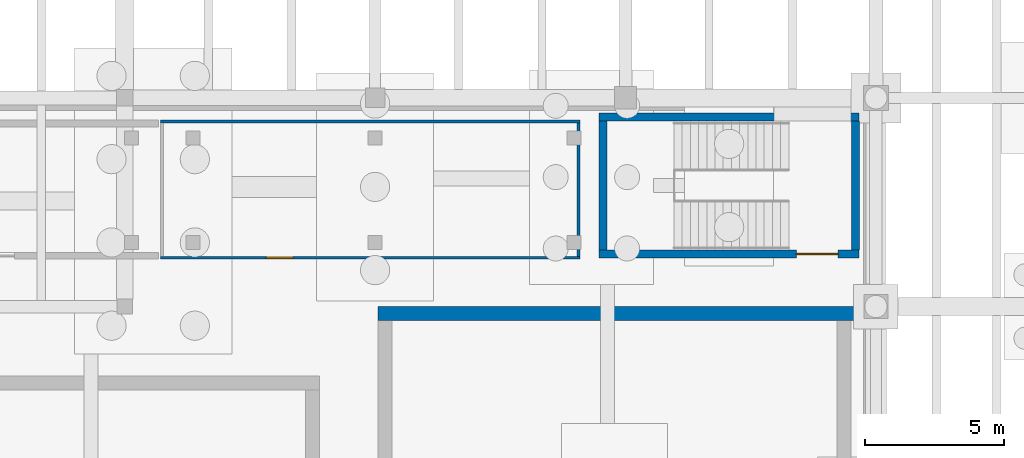
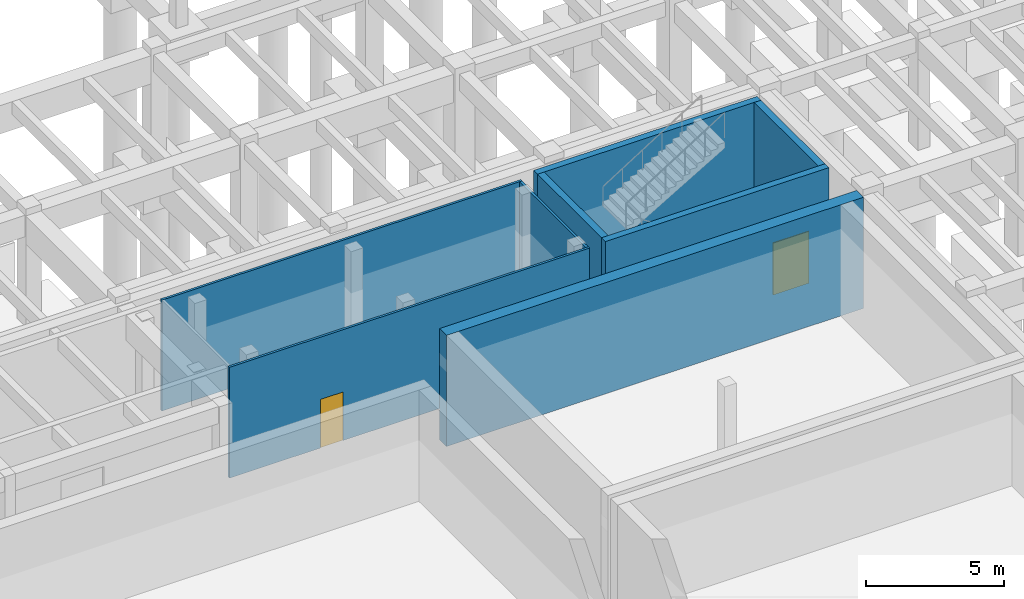
# One storey, part 29 of 36: 8 walls, 2 doors, 2 openings.
"""IFC4 building model written with IfcOpenShell, lengths in metres."""

from ifc_helpers import new_model, si_unit, direction, frame, frame_2d, origin, place, context, subcontext, project, spatial, rectangle, extrude, material, layer, layer_set, type_object, element, fill, save


model = new_model("IFC4")

# Units and contexts
model_context = context("Model", 3, precision=1e-05, world=origin(), true_north=direction((0.0, 1.0)))
body_context = subcontext(model_context, "Body", "Model", "MODEL_VIEW")
ifc_project = project(units=[si_unit("LENGTHUNIT", "METRE"), si_unit("AREAUNIT", "SQUARE_METRE"), si_unit("VOLUMEUNIT", "CUBIC_METRE"), si_unit("PLANEANGLEUNIT", "RADIAN"), si_unit("MASSUNIT", "GRAM", prefix="KILO"), si_unit("THERMODYNAMICTEMPERATUREUNIT", "KELVIN"), si_unit("POWERUNIT", "WATT")], contexts=[model_context])

# Site, building, storey
site_placement = place(None, origin())
site = spatial("IfcSite", under=ifc_project, at=site_placement, CompositionType="ELEMENT")
building_placement = place(site_placement, origin())
building = spatial("IfcBuilding", under=site, at=building_placement, Name="Tepalcoro Natatorium and Aquatics Centre", CompositionType="ELEMENT")
storey_placement = place(building_placement, frame((0.0, 0.0, -5.199951171875)))
storey = spatial("IfcBuildingStorey", under=building, at=storey_placement, Name="B1", CompositionType="ELEMENT", Elevation=-5.199951171875)

# Wall, opening, door
ifc_material_1 = material(Name="Moisture-Resistant Acoustic Gypsum Drywall on Cold-Formed Metal Studs")
ifc_layer_1 = layer(ifc_material_1, 0.10009765625)
ifc_layer_set_1 = layer_set([ifc_layer_1], Name="Moisture-Resistant Acoustic Gypsum Drywall on Cold-Formed Metal Studs")
wall_type_1 = type_object("IfcWallType", Name="WL_PART_100", PredefinedType="PARTITIONING", material=ifc_layer_set_1)
wall_1_placement = place(storey_placement, frame((99.2900390625, 53.25, 0.0), z_axis=(0.0, 0.0, 1.0), x_axis=(1.0, 0.0, 0.0)))
wall_1 = element("IfcWall", 1, at=wall_1_placement, inside=storey, type_object=wall_type_1, Name="Building Management Control & Workshop Suite Partition S", PredefinedType="PARTITIONING", context=body_context, shape_type="SweptSolid", body=[
    extrude(rectangle(XDim=15.070068359375, YDim=0.10009765625, at=frame_2d((7.53515625, 0.0))), origin(), (0.0, 0.0, 1.0), 4.905029296875),
])
opening_1_placement = place(wall_1_placement, frame((3.804931640625, 0.0, 0.0)))
opening_1 = element("IfcOpeningElement", 2, at=opening_1_placement, cuts=wall_1, Name="Opening D0058", PredefinedType="OPENING", context=body_context, shape_type="SweptSolid", body=[
    extrude(rectangle(XDim=0.949951171875, YDim=2.14990234375, at=frame_2d((0.47509765625, 1.074951171875))), frame((0.0, 0.06201171875, 0.0), z_axis=(0.0, -1.0, 0.0), x_axis=(1.0, 0.0, 0.0)), (0.0, 0.0, 1.0), 0.1240234375),
])
ifc_material_2 = material(Name="Solid-Core Moisture-Sealed Oak Timber Leaf in Aluminium Frame", Category="wood")
door_type_1 = type_object("IfcDoorType", Name="DR_095x215_OFFICE", OperationType="NOTDEFINED", PredefinedType="DOOR", material=ifc_material_2)
door_1_placement = place(opening_1_placement, origin())
door_1 = element("IfcDoor", 3, at=door_1_placement, inside=storey, type_object=door_type_1, Name="Building Management Control & Workshop Suite Door", OperationType="SINGLE_SWING_LEFT", OverallHeight=2.14990234375, OverallWidth=0.949951171875, PredefinedType="DOOR", context=body_context, shape_type="SweptSolid", body=[
    extrude(rectangle(XDim=0.949951171875, YDim=2.14990234375, at=frame_2d((0.47509765625, 1.074951171875))), frame((0.0, 0.02490234375, 0.0), z_axis=(0.0, -1.0, 0.0), x_axis=(1.0, 0.0, 0.0)), (0.0, 0.0, 1.0), 0.050048828125),
])
fill(opening_1, door_1)

# Walls
wall_2_placement = place(storey_placement, frame((99.2900390625, 58.14990234375, 0.0), z_axis=(0.0, 0.0, 1.0), x_axis=(1.0, 0.0, 0.0)))
element("IfcWall", 4, at=wall_2_placement, inside=storey, type_object=wall_type_1, Name="Building Management Control & Workshop Suite Partition N", PredefinedType="PARTITIONING", context=body_context, shape_type="SweptSolid", body=[
    extrude(rectangle(XDim=15.070068359375, YDim=0.10009765625, at=frame_2d((7.53515625, 0.0))), origin(), (0.0, 0.0, 1.0), 4.905029296875),
])
wall_3_placement = place(storey_placement, frame((114.31005859375, 53.300048828125, 0.0), z_axis=(0.0, 0.0, 1.0), x_axis=(0.0, 1.0, 0.0)))
element("IfcWall", 5, at=wall_3_placement, inside=storey, type_object=wall_type_1, Name="Building Management Control & Workshop Suite Partition E", PredefinedType="PARTITIONING", context=body_context, shape_type="SweptSolid", body=[
    extrude(rectangle(XDim=4.800048828125, YDim=0.10009765625, at=frame_2d((2.39990234375, 0.0))), origin(), (0.0, 0.0, 1.0), 4.905029296875),
])

# Wall, opening, door
ifc_material_3 = material(Name="Concrete C40/50 (fc 40 MPa)", Category="concrete")
ifc_layer_2 = layer(ifc_material_3, 0.280029296875)
ifc_layer_set_2 = layer_set([ifc_layer_2], Name="Concrete C40/50 (fc 40 MPa)")
wall_type_2 = type_object("IfcWallType", Name="WL_SHEAR_280", PredefinedType="SHEAR", material=ifc_layer_set_2)
wall_4_placement = place(storey_placement, frame((115.050048828125, 53.389892578125, 0.0), z_axis=(0.0, 0.0, 1.0), x_axis=(1.0, 0.0, 0.0)))
wall_4 = element("IfcWall", 6, at=wall_4_placement, inside=storey, type_object=wall_type_2, Name="ST02 Core Shear Wall S B1", PredefinedType="SHEAR", context=body_context, shape_type="SweptSolid", body=[
    extrude(rectangle(XDim=9.349853515625, YDim=0.280029296875, at=frame_2d((4.6748046875, 0.0))), origin(), (0.0, 0.0, 1.0), 4.919921875),
])
opening_2_placement = place(wall_4_placement, frame((7.090087890625, 0.0, 0.0)))
opening_2 = element("IfcOpeningElement", 7, at=opening_2_placement, cuts=wall_4, Name="Opening D0006", PredefinedType="OPENING", context=body_context, shape_type="SweptSolid", body=[
    extrude(rectangle(XDim=1.5, YDim=2.300048828125, at=frame_2d((0.75, 1.14990234375))), frame((0.0, 0.15185546875, 0.0), z_axis=(0.0, -1.0, 0.0), x_axis=(1.0, 0.0, 0.0)), (0.0, 0.0, 1.0), 0.303955078125),
])
ifc_material_4 = material(Name="Galvanised Steel Insulated Acoustic Fire Door Assembly", Category="steel")
door_type_2 = type_object("IfcDoorType", Name="DR_150x230_FD60", OperationType="NOTDEFINED", PredefinedType="DOOR", material=ifc_material_4)
door_2_placement = place(opening_2_placement, origin())
door_2 = element("IfcDoor", 8, at=door_2_placement, inside=storey, type_object=door_type_2, Name="ST02 Fire Stair Door (B1)", OperationType="DOUBLE_DOOR_SINGLE_SWING", OverallHeight=2.300048828125, OverallWidth=1.5, PredefinedType="DOOR", context=body_context, shape_type="SweptSolid", body=[
    extrude(rectangle(XDim=1.5, YDim=2.300048828125, at=frame_2d((0.75, 1.14990234375))), frame((0.0, 0.02490234375, 0.0), z_axis=(0.0, -1.0, 0.0), x_axis=(1.0, 0.0, 0.0)), (0.0, 0.0, 1.0), 0.050048828125),
])
fill(opening_2, door_2)

# Walls
wall_5_placement = place(storey_placement, frame((115.050048828125, 58.31005859375, 0.0), z_axis=(0.0, 0.0, 1.0), x_axis=(1.0, 0.0, 0.0)))
element("IfcWall", 9, at=wall_5_placement, inside=storey, type_object=wall_type_2, Name="ST02 Core Shear Wall N B1", PredefinedType="SHEAR", context=body_context, shape_type="SweptSolid", body=[
    extrude(rectangle(XDim=9.349853515625, YDim=0.280029296875, at=frame_2d((4.6748046875, 0.0))), origin(), (0.0, 0.0, 1.0), 4.919921875),
])
for number, where, z_axis, x_axis, name in (
    (10, (115.18994140625, 53.530029296875, 0.0), (0.0, 0.0, 1.0), (0.0, 1.0, 0.0), "ST02 Core Shear Wall W B1"),
    (11, (124.260009765625, 53.530029296875, 0.0), (0.0, 0.0, 1.0), (0.0, 1.0, 0.0), "ST02 Core Shear Wall E B1"),
):
    element("IfcWall", number, at=place(storey_placement, frame(where, z_axis=z_axis, x_axis=x_axis)), inside=storey, type_object=wall_type_2, Name=name, PredefinedType="SHEAR", context=body_context, shape_type="SweptSolid", body=[
        extrude(rectangle(XDim=4.639892578125, YDim=0.280029296875, at=frame_2d((2.31982421875, 0.0))), origin(), (0.0, 0.0, 1.0), 4.919921875),
    ])
ifc_layer_3 = layer(ifc_material_3, 0.5)
ifc_layer_set_3 = layer_set([ifc_layer_3], Name="Concrete C40/50 (fc 40 MPa)")
wall_type_3 = type_object("IfcWallType", Name="WL_TANK_500", PredefinedType="USERDEFINED", material=ifc_layer_set_3)
wall_6_placement = place(storey_placement, frame((107.10009765625, 51.25, 0.0), z_axis=(0.0, 0.0, 1.0), x_axis=(1.0, 0.0, 0.0)))
element("IfcWall", 12, at=wall_6_placement, inside=storey, type_object=wall_type_3, Name="Leisure Pool Tank Wall N", ObjectType="RETAINING WALL", PredefinedType="USERDEFINED", context=body_context, shape_type="SweptSolid", body=[
    extrude(rectangle(XDim=17.449951171875, YDim=0.5, at=frame_2d((8.72509765625, 0.0))), origin(), (0.0, 0.0, 1.0), 4.919921875),
])

save(model, "model.ifc")
